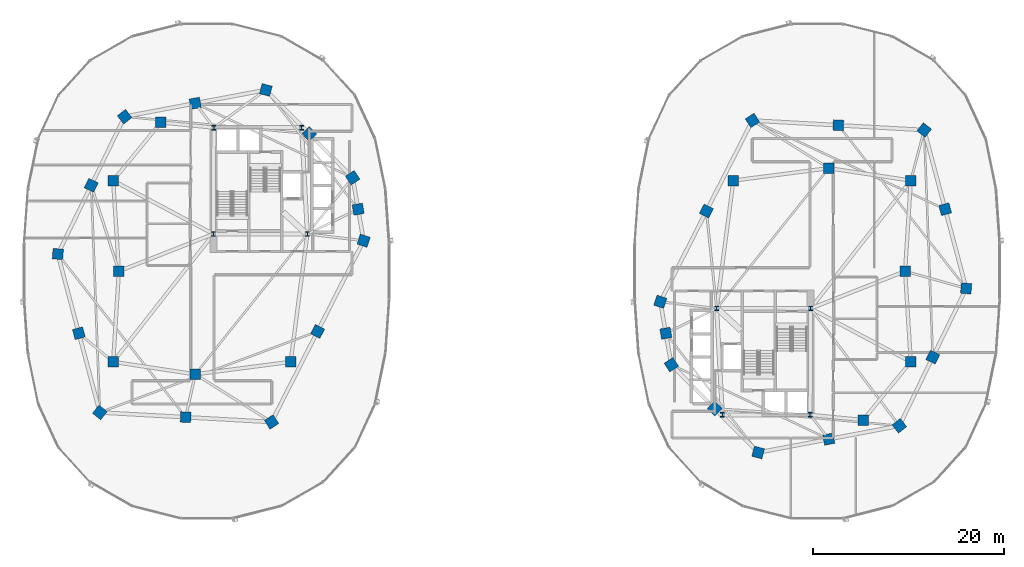
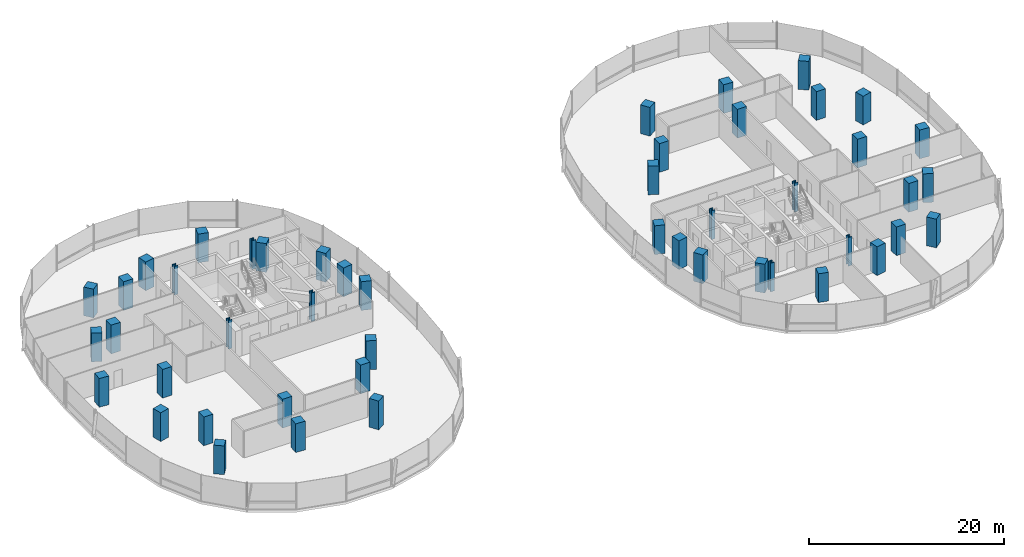
# One storey, part 1 of 21: 48 columns.
"""IFC4 building model written with IfcOpenShell, lengths in metres."""

from ifc_helpers import new_model, si_unit, direction, frame, origin, origin_2d, place, context, subcontext, project, spatial, rectangle, i_section, extrude, material, material_profile, profile_set, type_object, element, save


model = new_model("IFC4")

# Units and contexts
model_context = context("Model", 3, precision=1e-05, world=origin(), true_north=direction((0.0, 1.0)))
body_context = subcontext(model_context, "Body", "Model", "MODEL_VIEW")
ifc_project = project(units=[si_unit("LENGTHUNIT", "METRE"), si_unit("AREAUNIT", "SQUARE_METRE"), si_unit("VOLUMEUNIT", "CUBIC_METRE"), si_unit("PLANEANGLEUNIT", "RADIAN"), si_unit("MASSUNIT", "GRAM", prefix="KILO"), si_unit("THERMODYNAMICTEMPERATUREUNIT", "KELVIN"), si_unit("POWERUNIT", "WATT")], contexts=[model_context])

# Site, building, storey
site_placement = place(None, origin())
site = spatial("IfcSite", under=ifc_project, at=site_placement, CompositionType="ELEMENT")
building_placement = place(site_placement, origin())
building = spatial("IfcBuilding", under=site, at=building_placement, Name="Cundina Bronze Exchange", CompositionType="ELEMENT")
storey_placement = place(building_placement, frame((0.0, 0.0, 89.0)))
storey = spatial("IfcBuildingStorey", under=building, at=storey_placement, Name="L22", CompositionType="ELEMENT", Elevation=89.0)

# Columns
ifc_material_1 = material(Name="Steel ASTM A992 Grade 50", Category="steel")
ifc_material_profile_1 = material_profile(ifc_material_1, i_section(OverallWidth=0.431884765625, OverallDepth=0.498046875, WebThickness=0.0556640625, FlangeThickness=0.0888671875, FilletRadius=0.01806640625, at=origin_2d()), Name="W14X500", Category="steel")
ifc_profile_set_1 = profile_set([ifc_material_profile_1], Name="Steel ASTM A992 Grade 50")
column_type_1 = type_object("IfcColumnType", Name="COL-STL-W14A", PredefinedType="COLUMN", material=ifc_profile_set_1)
for number, where, z_axis, x_axis, name in (
    (1, (-31.300048828125, 3.89990234375, 0.0), (0.0, 0.0, 1.0), (1.0, 0.0, 0.0), "L22 Core Anchor Column W1"),
    (2, (-21.449951171875, 3.89990234375, 0.0), (0.0, 0.0, 1.0), (1.0, 0.0, 0.0), "L22 Core Anchor Column W2"),
    (3, (-22.050048828125, 15.050048828125, 0.0), (0.0, 0.0, 1.0), (1.0, 0.0, 0.0), "L22 Core Anchor Column W3"),
    (4, (-31.25, 15.050048828125, 0.0), (0.0, 0.0, 1.0), (1.0, 0.0, 0.0), "L22 Core Anchor Column W4"),
    (5, (31.300048828125, -3.89990234375, 0.0), (0.0, 0.0, 1.0), (1.0, 0.0, 0.0), "L22 Core Anchor Column E1"),
    (6, (21.449951171875, -3.89990234375, 0.0), (0.0, 0.0, 1.0), (1.0, 0.0, 0.0), "L22 Core Anchor Column E2"),
    (7, (22.050048828125, -15.050048828125, 0.0), (0.0, 0.0, 1.0), (1.0, 0.0, 0.0), "L22 Core Anchor Column E3"),
    (8, (31.25, -15.050048828125, 0.0), (0.0, 0.0, 1.0), (1.0, 0.0, 0.0), "L22 Core Anchor Column E4"),
):
    element("IfcColumn", number, at=place(storey_placement, frame(where, z_axis=z_axis, x_axis=x_axis)), inside=storey, type_object=column_type_1, Name=name, PredefinedType="COLUMN", context=body_context, shape_type="SweptSolid", body=[
        extrude(i_section(OverallWidth=0.431884765625, OverallDepth=0.498046875, WebThickness=0.0556640625, FlangeThickness=0.0888671875, FilletRadius=0.01806640625, at=origin_2d()), origin(), (0.0, 0.0, 1.0), 3.60009765625),
    ])
ifc_material_2 = material(Name="Concrete C60/75", Category="concrete")
ifc_material_profile_2 = material_profile(ifc_material_2, rectangle(XDim=1.10009765625, YDim=1.10009765625, at=origin_2d()), Name="RC1100X1100", Category="concrete")
ifc_profile_set_2 = profile_set([ifc_material_profile_2], Name="Concrete C60/75")
column_type_2 = type_object("IfcColumnType", Name="COL-Z2-1100", PredefinedType="COLUMN", material=ifc_profile_set_2)
for number, where, z_axis, x_axis, name in (
    (9, (-41.199951171875, 0.0, 0.0), (0.0, 0.0, 1.0), (1.0, 0.0, 0.0), "L22 W Inner Ring Column 1"),
    (10, (-41.800048828125, 9.5, 0.0), (0.0, 0.0, 1.0), (1.0, 0.0, 0.0), "L22 W Inner Ring Column 2"),
    (11, (-36.800048828125, 15.60009765625, 0.0), (0.0, 0.0, 1.0), (1.0, 0.0, 0.0), "L22 W Inner Ring Column 3"),
    (12, (-41.800048828125, -9.5, 0.0), (0.0, 0.0, 1.0), (1.0, 0.0, 0.0), "L22 W Inner Ring Column 4"),
    (13, (-33.199951171875, -10.800048828125, 0.0), (0.0, 0.0, 1.0), (1.0, 0.0, 0.0), "L22 W Inner Ring Column 5"),
    (14, (-23.199951171875, -9.5, 0.0), (0.0, 0.0, 1.0), (1.0, 0.0, 0.0), "L22 W Inner Ring Column 6"),
    (15, (41.199951171875, 0.0, 0.0), (0.0, 0.0, 1.0), (1.0, 0.0, 0.0), "L22 E Inner Ring Column 1"),
    (16, (41.800048828125, -9.5, 0.0), (0.0, 0.0, 1.0), (1.0, 0.0, 0.0), "L22 E Inner Ring Column 2"),
    (17, (36.800048828125, -15.60009765625, 0.0), (0.0, 0.0, 1.0), (1.0, 0.0, 0.0), "L22 E Inner Ring Column 3"),
    (18, (41.800048828125, 9.5, 0.0), (0.0, 0.0, 1.0), (1.0, 0.0, 0.0), "L22 E Inner Ring Column 4"),
    (19, (33.199951171875, 10.800048828125, 0.0), (0.0, 0.0, 1.0), (1.0, 0.0, 0.0), "L22 E Inner Ring Column 5"),
    (20, (23.199951171875, 9.5, 0.0), (0.0, 0.0, 1.0), (1.0, 0.0, 0.0), "L22 E Inner Ring Column 6"),
    (21, (-15.550048828125, 3.199951171875, 0.0), (0.0, 0.0, 1.0), (0.315152163383, 0.949041155016, 0.0), "L22 W Perimeter Column 00"),
    (22, (-16.125, 6.5, 0.0), (0.0, 0.0, 1.0), (-0.171585221787, 0.985169280715, 0.0), "L22 W Perimeter Column 01"),
    (23, (-16.699951171875, 9.800048828125, 0.0), (0.0, 0.0, 1.0), (-0.544199833495, 0.838955625301, 0.0), "L22 W Perimeter Column 02"),
    (24, (-21.25, 14.39990234375, 0.0), (0.0, 0.0, 1.0), (-0.703270634186, 0.710922228581, 0.0), "L22 W Perimeter Column 03"),
    (25, (-25.800048828125, 19.0, 0.0), (0.0, 0.0, 1.0), (-0.965970984022, 0.258650455301, 0.0), "L22 W Perimeter Column 04"),
    (26, (-33.199951171875, 17.60009765625, 0.0), (0.0, 0.0, 1.0), (-0.98258037664, -0.185838110843, 0.0), "L22 W Perimeter Column 05"),
    (27, (-40.60009765625, 16.199951171875, 0.0), (0.0, 0.0, 1.0), (-0.785100778485, -0.619368038909, 0.0), "L22 W Perimeter Column 06"),
    (28, (-44.10009765625, 9.0, 0.0), (0.0, 0.0, 1.0), (-0.437115766651, -0.899405251566, 0.0), "L22 W Perimeter Column 07"),
    (29, (-47.60009765625, 1.800048828125, 0.0), (0.0, 0.0, 1.0), (-0.083503921245, -0.996507448611, 0.0), "L22 W Perimeter Column 08"),
    (30, (-45.39990234375, -6.5, 0.0), (0.0, 0.0, 1.0), (0.256289373133, -0.966600102017, 0.0), "L22 W Perimeter Column 09"),
    (31, (-43.199951171875, -14.800048828125, 0.0), (0.0, 0.0, 1.0), (0.786288432137, -0.61785961309, 0.0), "L22 W Perimeter Column 10"),
    (32, (-34.199951171875, -15.300048828125, 0.0), (0.0, 0.0, 1.0), (0.998460188734, -0.055472980025, 0.0), "L22 W Perimeter Column 11"),
    (33, (-25.199951171875, -15.800048828125, 0.0), (0.0, 0.0, 1.0), (0.838099763533, 0.545516989988, 0.0), "L22 W Perimeter Column 12"),
    (34, (-20.375, -6.300048828125, 0.0), (0.0, 0.0, 1.0), (0.452901591366, 0.891560513111, 0.0), "L22 W Perimeter Column 13"),
    (35, (15.550048828125, -3.199951171875, 0.0), (0.0, 0.0, 1.0), (-0.315152163383, -0.949041155016, 0.0), "L22 E Perimeter Column 00"),
    (36, (16.125, -6.5, 0.0), (0.0, 0.0, 1.0), (0.171585221787, -0.985169280715, 0.0), "L22 E Perimeter Column 01"),
    (37, (16.699951171875, -9.800048828125, 0.0), (0.0, 0.0, 1.0), (0.544199833495, -0.838955625301, 0.0), "L22 E Perimeter Column 02"),
    (38, (21.25, -14.39990234375, 0.0), (0.0, 0.0, 1.0), (0.703270634186, -0.710922228581, 0.0), "L22 E Perimeter Column 03"),
    (39, (25.800048828125, -19.0, 0.0), (0.0, 0.0, 1.0), (0.965970984022, -0.258650455301, 0.0), "L22 E Perimeter Column 04"),
    (40, (33.199951171875, -17.60009765625, 0.0), (0.0, 0.0, 1.0), (0.98258037664, 0.185838110843, 0.0), "L22 E Perimeter Column 05"),
    (41, (40.60009765625, -16.199951171875, 0.0), (0.0, 0.0, 1.0), (0.785100778485, 0.619368038909, 0.0), "L22 E Perimeter Column 06"),
    (42, (44.10009765625, -9.0, 0.0), (0.0, 0.0, 1.0), (0.437115766651, 0.899405251566, 0.0), "L22 E Perimeter Column 07"),
    (43, (47.60009765625, -1.800048828125, 0.0), (0.0, 0.0, 1.0), (0.083503921245, 0.996507448611, 0.0), "L22 E Perimeter Column 08"),
    (44, (45.39990234375, 6.5, 0.0), (0.0, 0.0, 1.0), (-0.256289373133, 0.966600102017, 0.0), "L22 E Perimeter Column 09"),
    (45, (43.199951171875, 14.800048828125, 0.0), (0.0, 0.0, 1.0), (-0.786288432137, 0.61785961309, 0.0), "L22 E Perimeter Column 10"),
    (46, (34.199951171875, 15.300048828125, 0.0), (0.0, 0.0, 1.0), (-0.998460188734, 0.055472980025, 0.0), "L22 E Perimeter Column 11"),
    (47, (25.199951171875, 15.800048828125, 0.0), (0.0, 0.0, 1.0), (-0.838099763533, -0.545516989988, 0.0), "L22 E Perimeter Column 12"),
    (48, (20.375, 6.300048828125, 0.0), (0.0, 0.0, 1.0), (-0.452901591366, -0.891560513111, 0.0), "L22 E Perimeter Column 13"),
):
    element("IfcColumn", number, at=place(storey_placement, frame(where, z_axis=z_axis, x_axis=x_axis)), inside=storey, type_object=column_type_2, Name=name, PredefinedType="COLUMN", context=body_context, shape_type="SweptSolid", body=[
        extrude(rectangle(XDim=1.10009765625, YDim=1.10009765625, at=origin_2d()), origin(), (0.0, 0.0, 1.0), 3.60009765625),
    ])

save(model, "model.ifc")
